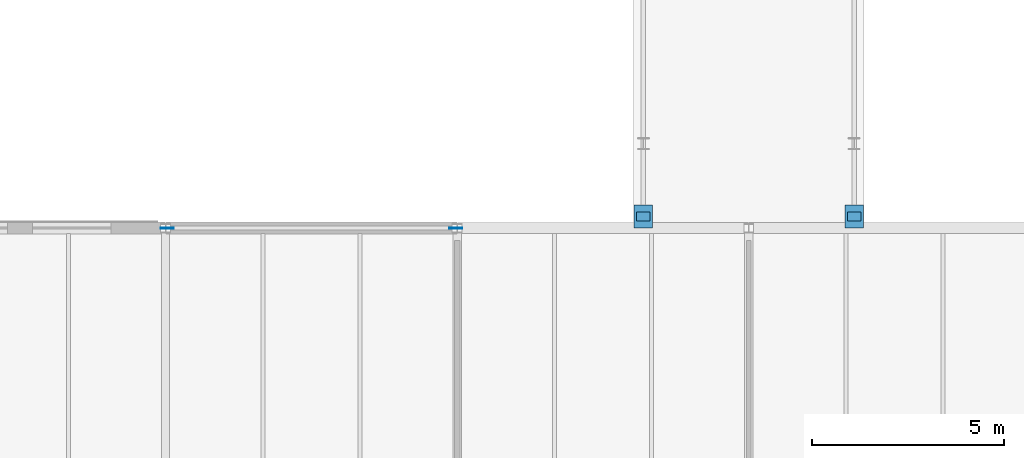
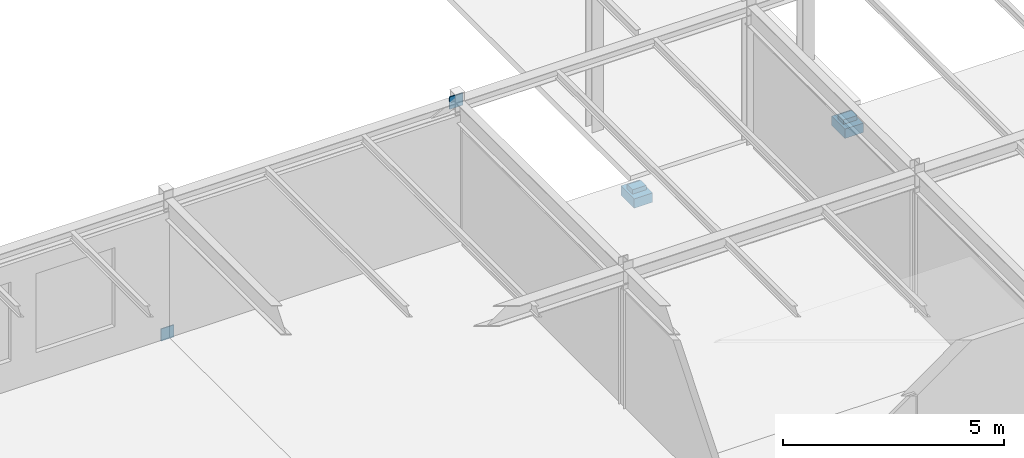
# One storey, part 171 of 189: 6 discrete accessories.
"""IFC4 building model written with IfcOpenShell, lengths in metres."""

from ifc_helpers import new_model, si_unit, direction, frame, origin, origin_2d, place, context, subcontext, project, spatial, rectangle, extrude, material, type_object, element, save


model = new_model("IFC4")

# Units and contexts
model_context = context("Model", 3, precision=1e-05, world=origin(), true_north=direction((0.0, 1.0)))
body_context = subcontext(model_context, "Body", "Model", "MODEL_VIEW")
ifc_project = project(units=[si_unit("LENGTHUNIT", "METRE"), si_unit("AREAUNIT", "SQUARE_METRE"), si_unit("VOLUMEUNIT", "CUBIC_METRE"), si_unit("PLANEANGLEUNIT", "RADIAN"), si_unit("MASSUNIT", "GRAM", prefix="KILO")], contexts=[model_context])

# Site, building, storey
site_placement = place(None, origin())
site = spatial("IfcSite", under=ifc_project, at=site_placement, CompositionType="ELEMENT")
building_placement = place(site_placement, origin())
building = spatial("IfcBuilding", under=site, at=building_placement, Name="Montecoro Central Library", CompositionType="ELEMENT")
storey_placement = place(building_placement, frame((0.0, 0.0, 9.179931640625)))
storey = spatial("IfcBuildingStorey", under=building, at=storey_placement, Name="L02", CompositionType="ELEMENT", Elevation=9.179931640625)

# Discrete accessories
ifc_material_1 = material(Name="Steel S355 and PTFE elastomer", Category="steel")
discrete_accessory_type_1 = type_object("IfcDiscreteAccessoryType", Name="BRG-SLIDE-01", PredefinedType="USERDEFINED", material=ifc_material_1)
for number, where, z_axis, x_axis, name in (
    (1, (25.050048828125, 35.699951171875, -0.544921875), (0.0, 0.0, 1.0), (1.0, 0.0, 0.0), "BR-W-L02-BRG-WA"),
    (2, (30.550048828125, 35.699951171875, -0.544921875), (0.0, 0.0, 1.0), (1.0, 0.0, 0.0), "BR-W-L02-BRG-EA"),
):
    element("IfcDiscreteAccessory", number, at=place(storey_placement, frame(where, z_axis=z_axis, x_axis=x_axis)), inside=storey, type_object=discrete_accessory_type_1, Name=name, ObjectType="GUIDED SLIDING BEARING", PredefinedType="USERDEFINED", context=body_context, shape_type="SweptSolid", body=[
        extrude(rectangle(XDim=0.360107421875, YDim=0.239990234375, at=origin_2d()), origin(), (0.0, 0.0, 1.0), 0.1201171875),
    ])
ifc_material_2 = material(Name="Steel S355", Category="steel")
discrete_accessory_type_2 = type_object("IfcDiscreteAccessoryType", Name="CORBEL-SEAT-600", PredefinedType="BRACKET", material=ifc_material_2)
for number, where, z_axis, x_axis, name in (
    (3, (25.050048828125, 35.699951171875, -0.80517578125), (0.0, 0.0, 1.0), (1.0, 0.0, 0.0), "BR-W-L02-SEAT-WA"),
    (4, (30.550048828125, 35.699951171875, -0.80517578125), (0.0, 0.0, 1.0), (1.0, 0.0, 0.0), "BR-W-L02-SEAT-EA"),
):
    element("IfcDiscreteAccessory", number, at=place(storey_placement, frame(where, z_axis=z_axis, x_axis=x_axis)), inside=storey, type_object=discrete_accessory_type_2, Name=name, PredefinedType="BRACKET", context=body_context, shape_type="SweptSolid", body=[
        extrude(rectangle(XDim=0.47998046875, YDim=0.60009765625, at=origin_2d()), origin(), (0.0, 0.0, 1.0), 0.260009765625),
    ])
discrete_accessory_type_3 = type_object("IfcDiscreteAccessoryType", Name="GUSSET-PLT-01", PredefinedType="BRACKET", material=ifc_material_2)
for number, where, z_axis, x_axis, name in (
    (5, (12.635986328125, 35.39990234375, -0.14208984375), (0.0, 0.0, 1.0), (1.0, 0.0, 0.0), "V3-L02-BRN1-GPA"),
    (6, (20.1640625, 35.39990234375, 3.6171875), (0.0, 0.0, 1.0), (1.0, 0.0, 0.0), "V3-L02-BRN1-GPB"),
):
    element("IfcDiscreteAccessory", number, at=place(storey_placement, frame(where, z_axis=z_axis, x_axis=x_axis)), inside=storey, type_object=discrete_accessory_type_3, Name=name, PredefinedType="BRACKET", context=body_context, shape_type="SweptSolid", body=[
        extrude(rectangle(XDim=0.340087890625, YDim=0.02392578125, at=origin_2d()), origin(), (0.0, 0.0, 1.0), 0.340087890625),
    ])

save(model, "model.ifc")
